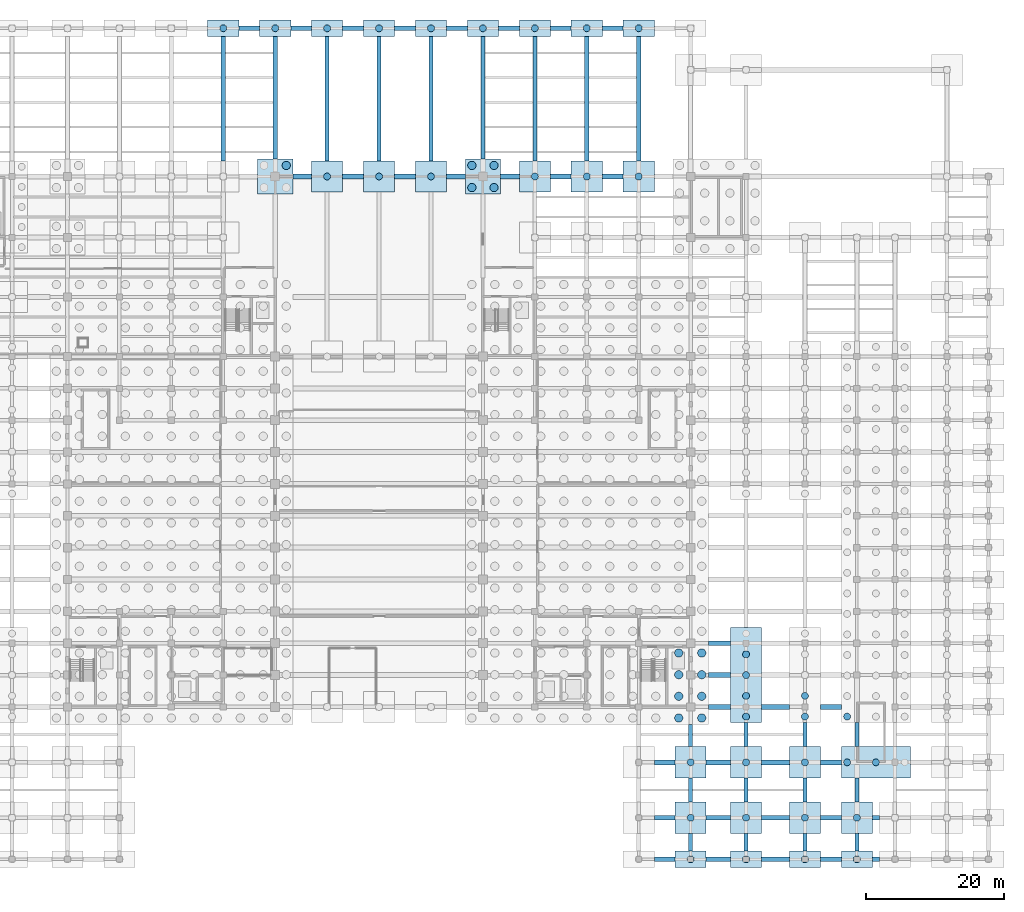
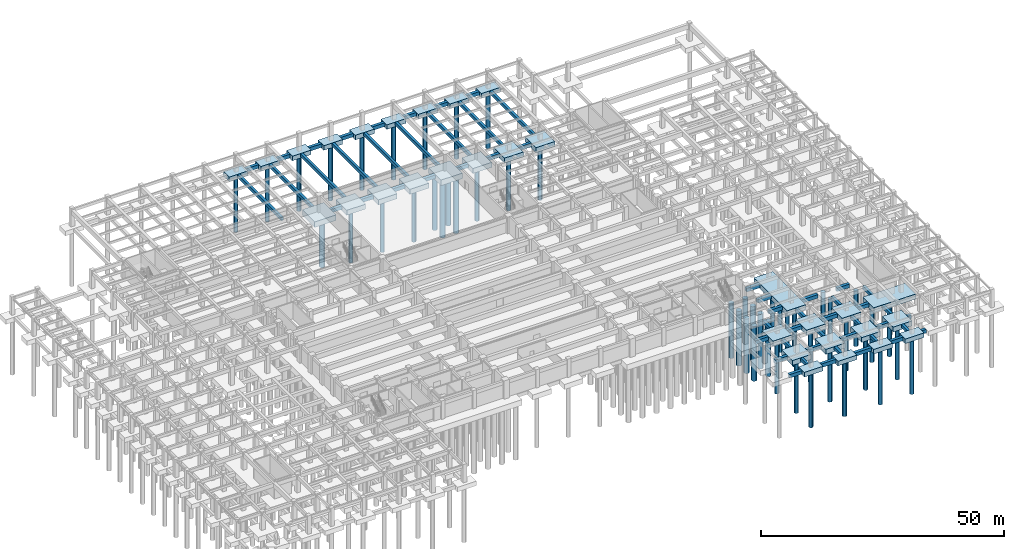
# One storey, part 7 of 32: 85 footings, 48 piles.
"""IFC4 building model written with IfcOpenShell, lengths in metres."""

import ifcopenshell
import ifcopenshell.guid

model = None  # the IFC model being written
_history = None  # IfcOwnerHistory: only IFC2X3 demands one
_inside = {}  # id of a spatial element -> (the spatial element, [elements in it])
_under = {}  # id of a project, library or spatial element -> (it, [spatial elements below it])
_declared = {}  # id of a project -> (the project, [libraries it declares])
_typed = {}  # id of a type object -> (the type object, [elements of that type])
_made_of = {}  # id of a material, layer set ... -> (it, [elements and type objects made of it])


def new_model(schema):
    """Start an empty IFC model of exactly this schema.

    Asked for "IFC4X3", IfcOpenShell would pick the latest addendum, in which some entities
    have other attributes; the version numbers below select the first issue.
    IFC2X3 requires an IfcOwnerHistory on every rooted entity: one is made here for all.
    """
    global model, _history
    if schema == "IFC4X3":
        model = ifcopenshell.file(schema_version=(4, 3, 0, 0))
    else:
        model = ifcopenshell.file(schema=schema)
    _inside.clear()
    _under.clear()
    _declared.clear()
    _typed.clear()
    _made_of.clear()
    _history = None
    if model.schema == "IFC2X3":
        org = make("IfcOrganization", Name="unknown")
        user = make(
            "IfcPersonAndOrganization",
            ThePerson=make("IfcPerson", FamilyName="unknown"),
            TheOrganization=org,
        )
        app = make(
            "IfcApplication",
            ApplicationDeveloper=org,
            Version="unknown",
            ApplicationFullName="unknown",
            ApplicationIdentifier="unknown",
        )
        _history = make(
            "IfcOwnerHistory",
            OwningUser=user,
            OwningApplication=app,
            ChangeAction="ADDED",
            CreationDate=0,
        )
    return model


def make(cls, **values):
    """One entity of the class cls with the attributes given. An attribute that is None is left unset."""
    return model.create_entity(
        cls, **{name: value for name, value in values.items() if value is not None}
    )


def rooted(cls, **values):
    """An entity with a GlobalId (a new one), such as an element, a storey or a relation."""
    return make(cls, GlobalId=ifcopenshell.guid.new(), OwnerHistory=_history, **values)


def si_unit(unit_type, name, prefix=None):
    """IfcSIUnit, for example si_unit("LENGTHUNIT", "METRE", prefix="MILLI")."""
    return make("IfcSIUnit", UnitType=unit_type, Prefix=prefix, Name=name)


def assignment(units):
    """IfcUnitAssignment: the units of a project."""
    return None if units is None else make("IfcUnitAssignment", Units=units)


def point(xyz):
    """IfcCartesianPoint."""
    return None if xyz is None else make("IfcCartesianPoint", Coordinates=xyz)


def direction(xyz):
    """IfcDirection."""
    return None if xyz is None else make("IfcDirection", DirectionRatios=xyz)


def frame(location, z_axis=None, x_axis=None):
    """IfcAxis2Placement3D, a coordinate frame: its origin and axes. An axis left out is left unset."""
    return make(
        "IfcAxis2Placement3D",
        Location=point(location),
        Axis=direction(z_axis),
        RefDirection=direction(x_axis),
    )


def frame_2d(location, x_axis=None):
    """IfcAxis2Placement2D, a coordinate frame in the plane: its origin and x axis."""
    return make(
        "IfcAxis2Placement2D", Location=point(location), RefDirection=direction(x_axis)
    )


def origin():
    """The frame at (0, 0, 0) with its axes left unset."""
    return frame((0.0, 0.0, 0.0))


def origin_2d():
    """The frame at (0, 0) in the plane with its x axis left unset."""
    return frame_2d((0.0, 0.0))


def place(relative_to, where):
    """IfcLocalPlacement: puts the frame where relative to a parent placement (None: the world)."""
    return make(
        "IfcLocalPlacement", PlacementRelTo=relative_to, RelativePlacement=where
    )


def context(
    kind, dimensions, precision=None, world=None, true_north=None, identifier=None
):
    """IfcGeometricRepresentationContext, for example the 3D "Model" context."""
    return make(
        "IfcGeometricRepresentationContext",
        ContextIdentifier=identifier,
        ContextType=kind,
        CoordinateSpaceDimension=dimensions,
        Precision=precision,
        WorldCoordinateSystem=world,
        TrueNorth=true_north,
    )


def subcontext(parent, identifier, kind, view, scale=None):
    """IfcGeometricRepresentationSubContext, for example "Body" below "Model"."""
    return make(
        "IfcGeometricRepresentationSubContext",
        ContextIdentifier=identifier,
        ContextType=kind,
        ParentContext=parent,
        TargetScale=scale,
        TargetView=view,
    )


def project(units=None, contexts=None):
    """IfcProject with its units and contexts."""
    return rooted(
        "IfcProject",
        Name="project",
        RepresentationContexts=contexts,
        UnitsInContext=assignment(units),
    )


def spatial(cls, under=None, at=None, **own):
    """A site, building, storey or space (cls), placed at a placement, below another one or the project."""
    s = rooted(cls, ObjectPlacement=at, **own)
    if under is not None:
        _under.setdefault(under.id(), (under, []))[1].append(s)
    return s


def profile(cls, at=None, kind="AREA", **sizes):
    """A parametric profile (cls). Its sizes go by their IFC names, for example OverallWidth=200.0."""
    return make(cls, ProfileType=kind, Position=at, **sizes)


def rectangle(**sizes):
    """IfcRectangleProfileDef."""
    return profile("IfcRectangleProfileDef", **sizes)


def circle(**sizes):
    """IfcCircleProfileDef."""
    return profile("IfcCircleProfileDef", **sizes)


def extrude(swept, where, along, depth):
    """IfcExtrudedAreaSolid: the profile swept, set in the frame where, extruded along a direction by depth."""
    return make(
        "IfcExtrudedAreaSolid",
        SweptArea=swept,
        Position=where,
        ExtrudedDirection=direction(along),
        Depth=depth,
    )


def shape(context_of_items, identifier, shape_type, items):
    """IfcShapeRepresentation: the items that make up one representation, for example the "Body"."""
    return make(
        "IfcShapeRepresentation",
        ContextOfItems=context_of_items,
        RepresentationIdentifier=identifier,
        RepresentationType=shape_type,
        Items=items,
    )


def material(Name=None, Category=None):
    """IfcMaterial."""
    return make("IfcMaterial", Name=Name, Category=Category)


def material_profile(
    of_material, cross_section, Name=None, Category=None, Priority=None
):
    """IfcMaterialProfile: a cross section and its material."""
    return make(
        "IfcMaterialProfile",
        Name=Name,
        Material=of_material,
        Profile=cross_section,
        Priority=Priority,
        Category=Category,
    )


def profile_set(profiles, Name=None, composite=None):
    """IfcMaterialProfileSet."""
    return make(
        "IfcMaterialProfileSet",
        Name=Name,
        MaterialProfiles=profiles,
        CompositeProfile=composite,
    )


def made_of(thing, what):
    """Note that an element or type object is made of a material, layer set ...; save() writes the relation."""
    if what is not None:
        _made_of.setdefault(what.id(), (what, []))[1].append(thing)
    return thing


def type_object(cls, material=None, **own):
    """A type object (cls), such as IfcWallType, which elements share."""
    return made_of(rooted(cls, **own), material)


def element(
    cls,
    number,
    at=None,
    inside=None,
    cuts=None,
    type_object=None,
    material=None,
    context=None,
    identifier="Body",
    shape_type=None,
    held_by="IfcProductDefinitionShape",
    body=None,
    shapes=None,
    **own,
):
    """One element of the class cls, such as IfcWall. Its Tag is "e" and its number.

    at: its placement. inside: the storey or other place that contains it. cuts: it is an
    opening in that element (IfcRelVoidsElement). A single representation is given by context,
    identifier, shape_type and body (its items); several are given by shapes. held_by: the class
    of the entity that holds the representations. save() writes the other relations.
    """
    e = rooted(cls, Tag="e%d" % number, ObjectPlacement=at, **own)
    if body is not None:
        shapes = [shape(context, identifier, shape_type, body)]
    if shapes is not None:
        e.Representation = make(held_by, Representations=shapes)
    if inside is not None:
        _inside.setdefault(inside.id(), (inside, []))[1].append(e)
    if cuts is not None:
        rooted(
            "IfcRelVoidsElement", RelatingBuildingElement=cuts, RelatedOpeningElement=e
        )
    if type_object is not None:
        _typed.setdefault(type_object.id(), (type_object, []))[1].append(e)
    return made_of(e, material)


def aggregate(whole, parts):
    """IfcRelAggregates: a whole, such as a stair, and the parts it consists of."""
    return rooted("IfcRelAggregates", RelatingObject=whole, RelatedObjects=parts)


def save(model, path):
    """Write the relations noted so far, then the file.

    IfcRelAggregates (storeys below a building ...), IfcRelContainedInSpatialStructure (elements
    in a storey), IfcRelDefinesByType, IfcRelAssociatesMaterial and IfcRelDeclares: one each for
    every whole, place, type object, material and project.
    """
    for whole, parts in _under.values():
        aggregate(whole, parts)
    for where, things in _inside.values():
        rooted(
            "IfcRelContainedInSpatialStructure",
            RelatedElements=things,
            RelatingStructure=where,
        )
    for kind, things in _typed.values():
        rooted("IfcRelDefinesByType", RelatedObjects=things, RelatingType=kind)
    for what, things in _made_of.values():
        rooted("IfcRelAssociatesMaterial", RelatedObjects=things, RelatingMaterial=what)
    for by, libraries in _declared.values():
        rooted("IfcRelDeclares", RelatingContext=by, RelatedDefinitions=libraries)
    model.write(path)


model = new_model("IFC4")

# Units and contexts
model_context = context("Model", 3, precision=1e-05, world=origin(), true_north=direction((0.0, 1.0)))
body_context = subcontext(model_context, "Body", "Model", "MODEL_VIEW")
ifc_project = project(units=[si_unit("LENGTHUNIT", "METRE"), si_unit("AREAUNIT", "SQUARE_METRE"), si_unit("VOLUMEUNIT", "CUBIC_METRE"), si_unit("PLANEANGLEUNIT", "RADIAN"), si_unit("MASSUNIT", "GRAM", prefix="KILO")], contexts=[model_context])

# Site, building, storey
site_placement = place(None, origin())
site = spatial("IfcSite", under=ifc_project, at=site_placement, CompositionType="ELEMENT")
building_placement = place(site_placement, origin())
building = spatial("IfcBuilding", under=site, at=building_placement, Name="Muzn Square Opera House", CompositionType="ELEMENT")
storey_placement = place(building_placement, frame((0.0, 0.0, -4.199951171875)))
storey = spatial("IfcBuildingStorey", under=building, at=storey_placement, Name="B1", CompositionType="ELEMENT", Elevation=-4.199951171875)

# Piles
ifc_material = material(Name="Concrete C40/50", Category="concrete")
ifc_material_profile_1 = material_profile(ifc_material, circle(Radius=0.5, at=origin_2d()), Name="BORED PILE D1000", Category="concrete")
ifc_profile_set_1 = profile_set([ifc_material_profile_1], Name="Concrete C40/50")
pile_type_1 = type_object("IfcPileType", Name="Bored Pile D1000", PredefinedType="BORED", material=ifc_profile_set_1)
for number, where, z_axis, x_axis, name in (
    (1, (133.0, 0.0, -1.469970703125), (0.0, 0.0, -1.0), (1.0, 0.0, 0.0), "Bored Pile BP-B1-BP-D1000-1330_0-10"),
    (2, (141.0, 0.0, -1.469970703125), (0.0, 0.0, -1.0), (1.0, 0.0, 0.0), "Bored Pile BP-B1-BP-D1000-1410_0-11"),
    (3, (149.5, 0.0, -1.469970703125), (0.0, 0.0, -1.0), (1.0, 0.0, 0.0), "Bored Pile BP-B1-BP-D1000-1495_0-12"),
    (4, (157.0, 0.0, -1.469970703125), (0.0, 0.0, -1.0), (1.0, 0.0, 0.0), "Bored Pile BP-B1-BP-D1000-1570_0-13"),
):
    element("IfcPile", number, at=place(storey_placement, frame(where, z_axis=z_axis, x_axis=x_axis)), inside=storey, type_object=pile_type_1, Name=name, PredefinedType="BORED", context=body_context, shape_type="SweptSolid", body=[
        extrude(circle(Radius=0.5, at=origin_2d()), origin(), (0.0, 0.0, 1.0), 14.030029296875),
    ])
for number, where, z_axis, x_axis, name in (
    (5, (133.0, 6.0, -1.570068359375), (0.0, 0.0, -1.0), (1.0, 0.0, 0.0), "Bored Pile BP-B1-BP-D1000-1330_60-25"),
    (6, (141.0, 6.0, -1.570068359375), (0.0, 0.0, -1.0), (1.0, 0.0, 0.0), "Bored Pile BP-B1-BP-D1000-1410_60-26"),
    (7, (149.5, 6.0, -1.570068359375), (0.0, 0.0, -1.0), (1.0, 0.0, 0.0), "Bored Pile BP-B1-BP-D1000-1495_60-27"),
    (8, (157.0, 6.0, -1.570068359375), (0.0, 0.0, -1.0), (1.0, 0.0, 0.0), "Bored Pile BP-B1-BP-D1000-1570_60-28"),
    (9, (133.0, 14.0, -1.570068359375), (0.0, 0.0, -1.0), (1.0, 0.0, 0.0), "Bored Pile BP-B1-BP-D1000-1330_140-42"),
    (10, (141.0, 14.0, -1.570068359375), (0.0, 0.0, -1.0), (1.0, 0.0, 0.0), "Bored Pile BP-B1-BP-D1000-1410_140-43"),
    (11, (149.5, 14.0, -1.570068359375), (0.0, 0.0, -1.0), (1.0, 0.0, 0.0), "Bored Pile BP-B1-BP-D1000-1495_140-44"),
    (12, (155.60009765625, 14.0, -1.570068359375), (0.0, 0.0, -1.0), (1.0, 0.0, 0.0), "Bored Pile BP-B1-BP-D1000-1556_140-45"),
    (13, (159.75, 14.0, -1.570068359375), (0.0, 0.0, -1.0), (1.0, 0.0, 0.0), "Bored Pile BP-B1-BP-D1000-1598_140-46"),
    (14, (141.0, 20.60009765625, -1.570068359375), (0.0, 0.0, -1.0), (1.0, 0.0, 0.0), "Bored Pile BP-B1-BP-D1000-1410_206-602"),
    (15, (141.0, 23.60009765625, -1.570068359375), (0.0, 0.0, -1.0), (1.0, 0.0, 0.0), "Bored Pile BP-B1-BP-D1000-1410_236-603"),
    (16, (141.0, 26.60009765625, -1.570068359375), (0.0, 0.0, -1.0), (1.0, 0.0, 0.0), "Bored Pile BP-B1-BP-D1000-1410_266-604"),
    (17, (141.0, 29.60009765625, -1.570068359375), (0.0, 0.0, -1.0), (1.0, 0.0, 0.0), "Bored Pile BP-B1-BP-D1000-1410_296-605"),
    (18, (149.5, 20.60009765625, -1.570068359375), (0.0, 0.0, -1.0), (1.0, 0.0, 0.0), "Bored Pile BP-B1-BP-D1000-1495_206-607"),
    (19, (149.5, 23.60009765625, -1.570068359375), (0.0, 0.0, -1.0), (1.0, 0.0, 0.0), "Bored Pile BP-B1-BP-D1000-1495_236-608"),
    (20, (155.60009765625, 20.60009765625, -1.570068359375), (0.0, 0.0, -1.0), (1.0, 0.0, 0.0), "Bored Pile BP-B1-BP-D1000-1556_206-612"),
    (21, (80.5, 98.60009765625, -1.570068359375), (0.0, 0.0, -1.0), (1.0, 0.0, 0.0), "Bored Pile BP-B1-BP-D1000-805_986-826"),
    (22, (88.0, 98.60009765625, -1.570068359375), (0.0, 0.0, -1.0), (1.0, 0.0, 0.0), "Bored Pile BP-B1-BP-D1000-880_986-827"),
    (23, (95.5, 98.60009765625, -1.570068359375), (0.0, 0.0, -1.0), (1.0, 0.0, 0.0), "Bored Pile BP-B1-BP-D1000-955_986-828"),
    (24, (110.5, 98.60009765625, -1.570068359375), (0.0, 0.0, -1.0), (1.0, 0.0, 0.0), "Bored Pile BP-B1-BP-D1000-1105_986-829"),
    (25, (118.0, 98.60009765625, -1.570068359375), (0.0, 0.0, -1.0), (1.0, 0.0, 0.0), "Bored Pile BP-B1-BP-D1000-1180_986-830"),
    (26, (125.5, 98.60009765625, -1.570068359375), (0.0, 0.0, -1.0), (1.0, 0.0, 0.0), "Bored Pile BP-B1-BP-D1000-1255_986-831"),
):
    element("IfcPile", number, at=place(storey_placement, frame(where, z_axis=z_axis, x_axis=x_axis)), inside=storey, type_object=pile_type_1, Name=name, PredefinedType="BORED", context=body_context, shape_type="SweptSolid", body=[
        extrude(circle(Radius=0.5, at=origin_2d()), origin(), (0.0, 0.0, 1.0), 13.929931640625),
    ])
for number, where, z_axis, x_axis, name in (
    (27, (65.5, 120.0, -1.469970703125), (0.0, 0.0, -1.0), (1.0, 0.0, 0.0), "Bored Pile BP-B1-BP-D1000-655_1200-843"),
    (28, (73.0, 120.0, -1.469970703125), (0.0, 0.0, -1.0), (1.0, 0.0, 0.0), "Bored Pile BP-B1-BP-D1000-730_1200-844"),
    (29, (80.5, 120.0, -1.469970703125), (0.0, 0.0, -1.0), (1.0, 0.0, 0.0), "Bored Pile BP-B1-BP-D1000-805_1200-845"),
    (30, (88.0, 120.0, -1.469970703125), (0.0, 0.0, -1.0), (1.0, 0.0, 0.0), "Bored Pile BP-B1-BP-D1000-880_1200-846"),
    (31, (95.5, 120.0, -1.469970703125), (0.0, 0.0, -1.0), (1.0, 0.0, 0.0), "Bored Pile BP-B1-BP-D1000-955_1200-847"),
    (32, (103.0, 120.0, -1.469970703125), (0.0, 0.0, -1.0), (1.0, 0.0, 0.0), "Bored Pile BP-B1-BP-D1000-1030_1200-848"),
    (33, (110.5, 120.0, -1.469970703125), (0.0, 0.0, -1.0), (1.0, 0.0, 0.0), "Bored Pile BP-B1-BP-D1000-1105_1200-849"),
    (34, (118.0, 120.0, -1.469970703125), (0.0, 0.0, -1.0), (1.0, 0.0, 0.0), "Bored Pile BP-B1-BP-D1000-1180_1200-850"),
    (35, (125.5, 120.0, -1.469970703125), (0.0, 0.0, -1.0), (1.0, 0.0, 0.0), "Bored Pile BP-B1-BP-D1000-1255_1200-851"),
):
    element("IfcPile", number, at=place(storey_placement, frame(where, z_axis=z_axis, x_axis=x_axis)), inside=storey, type_object=pile_type_1, Name=name, PredefinedType="BORED", context=body_context, shape_type="SweptSolid", body=[
        extrude(circle(Radius=0.5, at=origin_2d()), origin(), (0.0, 0.0, 1.0), 14.030029296875),
    ])
ifc_material_profile_2 = material_profile(ifc_material, circle(Radius=0.60009765625, at=origin_2d()), Name="BORED PILE D1200", Category="concrete")
ifc_profile_set_2 = profile_set([ifc_material_profile_2], Name="Concrete C40/50")
pile_type_2 = type_object("IfcPileType", Name="Bored Pile D1200", PredefinedType="BORED", material=ifc_profile_set_2)
for number, where, z_axis, x_axis, name in (
    (36, (131.280029296875, 20.39990234375, -1.719970703125), (0.0, 0.0, -1.0), (1.0, 0.0, 0.0), "Bored Pile BP-B1-BP-D1200-1313_204-471"),
    (37, (131.280029296875, 23.530029296875, -1.719970703125), (0.0, 0.0, -1.0), (1.0, 0.0, 0.0), "Bored Pile BP-B1-BP-D1200-1313_235-472"),
    (38, (131.280029296875, 26.659912109375, -1.719970703125), (0.0, 0.0, -1.0), (1.0, 0.0, 0.0), "Bored Pile BP-B1-BP-D1200-1313_267-473"),
    (39, (131.280029296875, 29.7900390625, -1.719970703125), (0.0, 0.0, -1.0), (1.0, 0.0, 0.0), "Bored Pile BP-B1-BP-D1200-1313_298-474"),
    (40, (134.60009765625, 20.39990234375, -1.719970703125), (0.0, 0.0, -1.0), (1.0, 0.0, 0.0), "Bored Pile BP-B1-BP-D1200-1346_204-492"),
    (41, (134.60009765625, 23.530029296875, -1.719970703125), (0.0, 0.0, -1.0), (1.0, 0.0, 0.0), "Bored Pile BP-B1-BP-D1200-1346_235-493"),
    (42, (134.60009765625, 26.659912109375, -1.719970703125), (0.0, 0.0, -1.0), (1.0, 0.0, 0.0), "Bored Pile BP-B1-BP-D1200-1346_267-494"),
    (43, (134.60009765625, 29.7900390625, -1.719970703125), (0.0, 0.0, -1.0), (1.0, 0.0, 0.0), "Bored Pile BP-B1-BP-D1200-1346_298-495"),
    (44, (74.60009765625, 100.199951171875, -1.719970703125), (0.0, 0.0, -1.0), (1.0, 0.0, 0.0), "Bored Pile BP-B1-BP-D1200-746_1002-816"),
    (45, (101.39990234375, 97.0, -1.719970703125), (0.0, 0.0, -1.0), (1.0, 0.0, 0.0), "Bored Pile BP-B1-BP-D1200-1014_970-817"),
    (46, (101.39990234375, 100.199951171875, -1.719970703125), (0.0, 0.0, -1.0), (1.0, 0.0, 0.0), "Bored Pile BP-B1-BP-D1200-1014_1002-818"),
    (47, (104.60009765625, 97.0, -1.719970703125), (0.0, 0.0, -1.0), (1.0, 0.0, 0.0), "Bored Pile BP-B1-BP-D1200-1046_970-819"),
    (48, (104.60009765625, 100.199951171875, -1.719970703125), (0.0, 0.0, -1.0), (1.0, 0.0, 0.0), "Bored Pile BP-B1-BP-D1200-1046_1002-820"),
):
    element("IfcPile", number, at=place(storey_placement, frame(where, z_axis=z_axis, x_axis=x_axis)), inside=storey, type_object=pile_type_2, Name=name, PredefinedType="BORED", context=body_context, shape_type="SweptSolid", body=[
        extrude(circle(Radius=0.60009765625, at=origin_2d()), origin(), (0.0, 0.0, 1.0), 13.780029296875),
    ])

# Footings
ifc_material_profile_3 = material_profile(ifc_material, rectangle(XDim=0.60009765625, YDim=0.800048828125, at=origin_2d()), Name="RCTB 600x800", Category="concrete")
ifc_profile_set_3 = profile_set([ifc_material_profile_3], Name="Concrete C40/50")
footing_type_1 = type_object("IfcFootingType", Name="Foundation Tie Beam 600x800", PredefinedType="FOOTING_BEAM", material=ifc_profile_set_3)
footing_1_placement = place(storey_placement, frame((65.5, 100.85009765625, -0.820068359375), z_axis=(0.0, 1.0, 0.0), x_axis=(-1.0, 0.0, 0.0)))
element("IfcFooting", 49, at=footing_1_placement, inside=storey, type_object=footing_type_1, Name="Foundation Tie Beam FTB-Y284", PredefinedType="FOOTING_BEAM", context=body_context, shape_type="SweptSolid", body=[
    extrude(rectangle(XDim=0.60009765625, YDim=0.800048828125, at=origin_2d()), origin(), (0.0, 0.0, 1.0), 17.949951171875),
])
footing_2_placement = place(storey_placement, frame((73.0, 101.14990234375, -0.820068359375), z_axis=(0.0, 1.0, 0.0), x_axis=(-1.0, 0.0, 0.0)))
element("IfcFooting", 50, at=footing_2_placement, inside=storey, type_object=footing_type_1, Name="Foundation Tie Beam FTB-Y286", PredefinedType="FOOTING_BEAM", context=body_context, shape_type="SweptSolid", body=[
    extrude(rectangle(XDim=0.60009765625, YDim=0.800048828125, at=origin_2d()), origin(), (0.0, 0.0, 1.0), 17.650146484375),
])
for number, where, z_axis, x_axis, name in (
    (51, (80.5, 100.85009765625, -0.820068359375), (0.0, 1.0, 0.0), (-1.0, 0.0, 0.0), "Foundation Tie Beam FTB-Y288"),
    (52, (88.0, 100.85009765625, -0.820068359375), (0.0, 1.0, 0.0), (-1.0, 0.0, 0.0), "Foundation Tie Beam FTB-Y290"),
    (53, (95.5, 100.85009765625, -0.820068359375), (0.0, 1.0, 0.0), (-1.0, 0.0, 0.0), "Foundation Tie Beam FTB-Y292"),
):
    element("IfcFooting", number, at=place(storey_placement, frame(where, z_axis=z_axis, x_axis=x_axis)), inside=storey, type_object=footing_type_1, Name=name, PredefinedType="FOOTING_BEAM", context=body_context, shape_type="SweptSolid", body=[
        extrude(rectangle(XDim=0.60009765625, YDim=0.800048828125, at=origin_2d()), origin(), (0.0, 0.0, 1.0), 17.949951171875),
    ])
footing_3_placement = place(storey_placement, frame((103.0, 101.14990234375, -0.820068359375), z_axis=(0.0, 1.0, 0.0), x_axis=(-1.0, 0.0, 0.0)))
element("IfcFooting", 54, at=footing_3_placement, inside=storey, type_object=footing_type_1, Name="Foundation Tie Beam FTB-Y294", PredefinedType="FOOTING_BEAM", context=body_context, shape_type="SweptSolid", body=[
    extrude(rectangle(XDim=0.60009765625, YDim=0.800048828125, at=origin_2d()), origin(), (0.0, 0.0, 1.0), 17.650146484375),
])
for number, where, z_axis, x_axis, name in (
    (55, (110.5, 100.85009765625, -0.820068359375), (0.0, 1.0, 0.0), (-1.0, 0.0, 0.0), "Foundation Tie Beam FTB-Y297"),
    (56, (118.0, 100.85009765625, -0.820068359375), (0.0, 1.0, 0.0), (-1.0, 0.0, 0.0), "Foundation Tie Beam FTB-Y300"),
    (57, (125.5, 100.85009765625, -0.820068359375), (0.0, 1.0, 0.0), (-1.0, 0.0, 0.0), "Foundation Tie Beam FTB-Y306"),
):
    element("IfcFooting", number, at=place(storey_placement, frame(where, z_axis=z_axis, x_axis=x_axis)), inside=storey, type_object=footing_type_1, Name=name, PredefinedType="FOOTING_BEAM", context=body_context, shape_type="SweptSolid", body=[
        extrude(rectangle(XDim=0.60009765625, YDim=0.800048828125, at=origin_2d()), origin(), (0.0, 0.0, 1.0), 17.949951171875),
    ])
footing_4_placement = place(storey_placement, frame((133.0, 1.199951171875, -0.820068359375), z_axis=(0.0, 1.0, 0.0), x_axis=(-1.0, 0.0, 0.0)))
element("IfcFooting", 58, at=footing_4_placement, inside=storey, type_object=footing_type_1, Name="Foundation Tie Beam FTB-Y307", PredefinedType="FOOTING_BEAM", context=body_context, shape_type="SweptSolid", body=[
    extrude(rectangle(XDim=0.60009765625, YDim=0.800048828125, at=origin_2d()), origin(), (0.0, 0.0, 1.0), 2.550048828125),
])
footing_5_placement = place(storey_placement, frame((133.0, 8.25, -0.820068359375), z_axis=(0.0, 1.0, 0.0), x_axis=(-1.0, 0.0, 0.0)))
element("IfcFooting", 59, at=footing_5_placement, inside=storey, type_object=footing_type_1, Name="Foundation Tie Beam FTB-Y308", PredefinedType="FOOTING_BEAM", context=body_context, shape_type="SweptSolid", body=[
    extrude(rectangle(XDim=0.60009765625, YDim=0.800048828125, at=origin_2d()), origin(), (0.0, 0.0, 1.0), 3.5),
])
footing_6_placement = place(storey_placement, frame((133.0, 16.25, -0.820068359375), z_axis=(0.0, 1.0, 0.0), x_axis=(-1.0, 0.0, 0.0)))
element("IfcFooting", 60, at=footing_6_placement, inside=storey, type_object=footing_type_1, Name="Foundation Tie Beam FTB-Y309", PredefinedType="FOOTING_BEAM", context=body_context, shape_type="SweptSolid", body=[
    extrude(rectangle(XDim=0.60009765625, YDim=0.800048828125, at=origin_2d()), origin(), (0.0, 0.0, 1.0), 3.199951171875),
])
footing_7_placement = place(storey_placement, frame((141.0, 1.199951171875, -0.820068359375), z_axis=(0.0, 1.0, 0.0), x_axis=(-1.0, 0.0, 0.0)))
element("IfcFooting", 61, at=footing_7_placement, inside=storey, type_object=footing_type_1, Name="Foundation Tie Beam FTB-Y313", PredefinedType="FOOTING_BEAM", context=body_context, shape_type="SweptSolid", body=[
    extrude(rectangle(XDim=0.60009765625, YDim=0.800048828125, at=origin_2d()), origin(), (0.0, 0.0, 1.0), 2.550048828125),
])
for number, where, z_axis, x_axis, name in (
    (62, (141.0, 8.25, -0.820068359375), (0.0, 1.0, 0.0), (-1.0, 0.0, 0.0), "Foundation Tie Beam FTB-Y314"),
    (63, (141.0, 16.25, -0.820068359375), (0.0, 1.0, 0.0), (-1.0, 0.0, 0.0), "Foundation Tie Beam FTB-Y315"),
):
    element("IfcFooting", number, at=place(storey_placement, frame(where, z_axis=z_axis, x_axis=x_axis)), inside=storey, type_object=footing_type_1, Name=name, PredefinedType="FOOTING_BEAM", context=body_context, shape_type="SweptSolid", body=[
        extrude(rectangle(XDim=0.60009765625, YDim=0.800048828125, at=origin_2d()), origin(), (0.0, 0.0, 1.0), 3.5),
    ])
footing_8_placement = place(storey_placement, frame((149.5, 1.199951171875, -0.820068359375), z_axis=(0.0, 1.0, 0.0), x_axis=(-1.0, 0.0, 0.0)))
element("IfcFooting", 64, at=footing_8_placement, inside=storey, type_object=footing_type_1, Name="Foundation Tie Beam FTB-Y320", PredefinedType="FOOTING_BEAM", context=body_context, shape_type="SweptSolid", body=[
    extrude(rectangle(XDim=0.60009765625, YDim=0.800048828125, at=origin_2d()), origin(), (0.0, 0.0, 1.0), 2.550048828125),
])
for number, where, z_axis, x_axis, name in (
    (65, (149.5, 8.25, -0.820068359375), (0.0, 1.0, 0.0), (-1.0, 0.0, 0.0), "Foundation Tie Beam FTB-Y321"),
    (66, (149.5, 16.25, -0.820068359375), (0.0, 1.0, 0.0), (-1.0, 0.0, 0.0), "Foundation Tie Beam FTB-Y322"),
):
    element("IfcFooting", number, at=place(storey_placement, frame(where, z_axis=z_axis, x_axis=x_axis)), inside=storey, type_object=footing_type_1, Name=name, PredefinedType="FOOTING_BEAM", context=body_context, shape_type="SweptSolid", body=[
        extrude(rectangle(XDim=0.60009765625, YDim=0.800048828125, at=origin_2d()), origin(), (0.0, 0.0, 1.0), 3.5),
    ])
footing_9_placement = place(storey_placement, frame((157.0, 1.199951171875, -0.820068359375), z_axis=(0.0, 1.0, 0.0), x_axis=(-1.0, 0.0, 0.0)))
element("IfcFooting", 67, at=footing_9_placement, inside=storey, type_object=footing_type_1, Name="Foundation Tie Beam FTB-Y325", PredefinedType="FOOTING_BEAM", context=body_context, shape_type="SweptSolid", body=[
    extrude(rectangle(XDim=0.60009765625, YDim=0.800048828125, at=origin_2d()), origin(), (0.0, 0.0, 1.0), 2.550048828125),
])
for number, where, z_axis, x_axis, name in (
    (68, (157.0, 8.25, -0.820068359375), (0.0, 1.0, 0.0), (-1.0, 0.0, 0.0), "Foundation Tie Beam FTB-Y326"),
    (69, (157.0, 16.25, -0.820068359375), (0.0, 1.0, 0.0), (-1.0, 0.0, 0.0), "Foundation Tie Beam FTB-Y327"),
):
    element("IfcFooting", number, at=place(storey_placement, frame(where, z_axis=z_axis, x_axis=x_axis)), inside=storey, type_object=footing_type_1, Name=name, PredefinedType="FOOTING_BEAM", context=body_context, shape_type="SweptSolid", body=[
        extrude(rectangle(XDim=0.60009765625, YDim=0.800048828125, at=origin_2d()), origin(), (0.0, 0.0, 1.0), 3.5),
    ])
ifc_material_profile_4 = material_profile(ifc_material, rectangle(XDim=0.699951171875, YDim=0.89990234375, at=origin_2d()), Name="RCTB 700x900", Category="concrete")
ifc_profile_set_4 = profile_set([ifc_material_profile_4], Name="Concrete C40/50")
footing_type_2 = type_object("IfcFootingType", Name="Foundation Tie Beam 700x900", PredefinedType="FOOTING_BEAM", material=ifc_profile_set_4)
footing_10_placement = place(storey_placement, frame((127.75, 0.0, -0.8701171875), z_axis=(1.0, 0.0, 0.0), x_axis=(0.0, 1.0, 0.0)))
element("IfcFooting", 70, at=footing_10_placement, inside=storey, type_object=footing_type_2, Name="Foundation Tie Beam FTB-X008", PredefinedType="FOOTING_BEAM", context=body_context, shape_type="SweptSolid", body=[
    extrude(rectangle(XDim=0.699951171875, YDim=0.89990234375, at=origin_2d()), origin(), (0.0, 0.0, 1.0), 3.0),
])
footing_11_placement = place(storey_placement, frame((135.25, 0.0, -0.8701171875), z_axis=(1.0, 0.0, 0.0), x_axis=(0.0, 1.0, 0.0)))
element("IfcFooting", 71, at=footing_11_placement, inside=storey, type_object=footing_type_2, Name="Foundation Tie Beam FTB-X009", PredefinedType="FOOTING_BEAM", context=body_context, shape_type="SweptSolid", body=[
    extrude(rectangle(XDim=0.699951171875, YDim=0.89990234375, at=origin_2d()), origin(), (0.0, 0.0, 1.0), 3.5),
])
footing_12_placement = place(storey_placement, frame((143.25, 0.0, -0.8701171875), z_axis=(1.0, 0.0, 0.0), x_axis=(0.0, 1.0, 0.0)))
element("IfcFooting", 72, at=footing_12_placement, inside=storey, type_object=footing_type_2, Name="Foundation Tie Beam FTB-X010", PredefinedType="FOOTING_BEAM", context=body_context, shape_type="SweptSolid", body=[
    extrude(rectangle(XDim=0.699951171875, YDim=0.89990234375, at=origin_2d()), origin(), (0.0, 0.0, 1.0), 4.0),
])
footing_13_placement = place(storey_placement, frame((151.75, 0.0, -0.8701171875), z_axis=(1.0, 0.0, 0.0), x_axis=(0.0, 1.0, 0.0)))
element("IfcFooting", 73, at=footing_13_placement, inside=storey, type_object=footing_type_2, Name="Foundation Tie Beam FTB-X011", PredefinedType="FOOTING_BEAM", context=body_context, shape_type="SweptSolid", body=[
    extrude(rectangle(XDim=0.699951171875, YDim=0.89990234375, at=origin_2d()), origin(), (0.0, 0.0, 1.0), 3.0),
])
footing_14_placement = place(storey_placement, frame((159.25, 0.0, -0.8701171875), z_axis=(1.0, 0.0, 0.0), x_axis=(0.0, 1.0, 0.0)))
element("IfcFooting", 74, at=footing_14_placement, inside=storey, type_object=footing_type_2, Name="Foundation Tie Beam FTB-X012", PredefinedType="FOOTING_BEAM", context=body_context, shape_type="SweptSolid", body=[
    extrude(rectangle(XDim=0.699951171875, YDim=0.89990234375, at=origin_2d()), origin(), (0.0, 0.0, 1.0), 1.0),
])
footing_15_placement = place(storey_placement, frame((127.75, 6.0, -0.8701171875), z_axis=(1.0, 0.0, 0.0), x_axis=(0.0, 1.0, 0.0)))
element("IfcFooting", 75, at=footing_15_placement, inside=storey, type_object=footing_type_2, Name="Foundation Tie Beam FTB-X022", PredefinedType="FOOTING_BEAM", context=body_context, shape_type="SweptSolid", body=[
    extrude(rectangle(XDim=0.699951171875, YDim=0.89990234375, at=origin_2d()), origin(), (0.0, 0.0, 1.0), 3.0),
])
footing_16_placement = place(storey_placement, frame((135.25, 6.0, -0.8701171875), z_axis=(1.0, 0.0, 0.0), x_axis=(0.0, 1.0, 0.0)))
element("IfcFooting", 76, at=footing_16_placement, inside=storey, type_object=footing_type_2, Name="Foundation Tie Beam FTB-X023", PredefinedType="FOOTING_BEAM", context=body_context, shape_type="SweptSolid", body=[
    extrude(rectangle(XDim=0.699951171875, YDim=0.89990234375, at=origin_2d()), origin(), (0.0, 0.0, 1.0), 3.5),
])
footing_17_placement = place(storey_placement, frame((143.25, 6.0, -0.8701171875), z_axis=(1.0, 0.0, 0.0), x_axis=(0.0, 1.0, 0.0)))
element("IfcFooting", 77, at=footing_17_placement, inside=storey, type_object=footing_type_2, Name="Foundation Tie Beam FTB-X024", PredefinedType="FOOTING_BEAM", context=body_context, shape_type="SweptSolid", body=[
    extrude(rectangle(XDim=0.699951171875, YDim=0.89990234375, at=origin_2d()), origin(), (0.0, 0.0, 1.0), 4.0),
])
footing_18_placement = place(storey_placement, frame((151.75, 6.0, -0.8701171875), z_axis=(1.0, 0.0, 0.0), x_axis=(0.0, 1.0, 0.0)))
element("IfcFooting", 78, at=footing_18_placement, inside=storey, type_object=footing_type_2, Name="Foundation Tie Beam FTB-X025", PredefinedType="FOOTING_BEAM", context=body_context, shape_type="SweptSolid", body=[
    extrude(rectangle(XDim=0.699951171875, YDim=0.89990234375, at=origin_2d()), origin(), (0.0, 0.0, 1.0), 3.0),
])
footing_19_placement = place(storey_placement, frame((159.25, 6.0, -0.8701171875), z_axis=(1.0, 0.0, 0.0), x_axis=(0.0, 1.0, 0.0)))
element("IfcFooting", 79, at=footing_19_placement, inside=storey, type_object=footing_type_2, Name="Foundation Tie Beam FTB-X026", PredefinedType="FOOTING_BEAM", context=body_context, shape_type="SweptSolid", body=[
    extrude(rectangle(XDim=0.699951171875, YDim=0.89990234375, at=origin_2d()), origin(), (0.0, 0.0, 1.0), 1.0),
])
footing_20_placement = place(storey_placement, frame((127.75, 14.0, -0.8701171875), z_axis=(1.0, 0.0, 0.0), x_axis=(0.0, 1.0, 0.0)))
element("IfcFooting", 80, at=footing_20_placement, inside=storey, type_object=footing_type_2, Name="Foundation Tie Beam FTB-X035", PredefinedType="FOOTING_BEAM", context=body_context, shape_type="SweptSolid", body=[
    extrude(rectangle(XDim=0.699951171875, YDim=0.89990234375, at=origin_2d()), origin(), (0.0, 0.0, 1.0), 3.0),
])
footing_21_placement = place(storey_placement, frame((135.25, 14.0, -0.8701171875), z_axis=(1.0, 0.0, 0.0), x_axis=(0.0, 1.0, 0.0)))
element("IfcFooting", 81, at=footing_21_placement, inside=storey, type_object=footing_type_2, Name="Foundation Tie Beam FTB-X036", PredefinedType="FOOTING_BEAM", context=body_context, shape_type="SweptSolid", body=[
    extrude(rectangle(XDim=0.699951171875, YDim=0.89990234375, at=origin_2d()), origin(), (0.0, 0.0, 1.0), 3.5),
])
footing_22_placement = place(storey_placement, frame((143.25, 14.0, -0.8701171875), z_axis=(1.0, 0.0, 0.0), x_axis=(0.0, 1.0, 0.0)))
element("IfcFooting", 82, at=footing_22_placement, inside=storey, type_object=footing_type_2, Name="Foundation Tie Beam FTB-X037", PredefinedType="FOOTING_BEAM", context=body_context, shape_type="SweptSolid", body=[
    extrude(rectangle(XDim=0.699951171875, YDim=0.89990234375, at=origin_2d()), origin(), (0.0, 0.0, 1.0), 4.0),
])
footing_23_placement = place(storey_placement, frame((151.75, 14.0, -0.8701171875), z_axis=(1.0, 0.0, 0.0), x_axis=(0.0, 1.0, 0.0)))
element("IfcFooting", 83, at=footing_23_placement, inside=storey, type_object=footing_type_2, Name="Foundation Tie Beam FTB-X038", PredefinedType="FOOTING_BEAM", context=body_context, shape_type="SweptSolid", body=[
    extrude(rectangle(XDim=0.699951171875, YDim=0.89990234375, at=origin_2d()), origin(), (0.0, 0.0, 1.0), 3.0),
])
footing_24_placement = place(storey_placement, frame((135.550048828125, 22.0, -0.8701171875), z_axis=(1.0, 0.0, 0.0), x_axis=(0.0, 1.0, 0.0)))
element("IfcFooting", 84, at=footing_24_placement, inside=storey, type_object=footing_type_2, Name="Foundation Tie Beam FTB-X050", PredefinedType="FOOTING_BEAM", context=body_context, shape_type="SweptSolid", body=[
    extrude(rectangle(XDim=0.699951171875, YDim=0.89990234375, at=origin_2d()), origin(), (0.0, 0.0, 1.0), 3.199951171875),
])
footing_25_placement = place(storey_placement, frame((143.25, 22.0, -0.8701171875), z_axis=(1.0, 0.0, 0.0), x_axis=(0.0, 1.0, 0.0)))
element("IfcFooting", 85, at=footing_25_placement, inside=storey, type_object=footing_type_2, Name="Foundation Tie Beam FTB-X051", PredefinedType="FOOTING_BEAM", context=body_context, shape_type="SweptSolid", body=[
    extrude(rectangle(XDim=0.699951171875, YDim=0.89990234375, at=origin_2d()), origin(), (0.0, 0.0, 1.0), 4.0),
])
footing_26_placement = place(storey_placement, frame((151.75, 22.0, -0.8701171875), z_axis=(1.0, 0.0, 0.0), x_axis=(0.0, 1.0, 0.0)))
element("IfcFooting", 86, at=footing_26_placement, inside=storey, type_object=footing_type_2, Name="Foundation Tie Beam FTB-X052", PredefinedType="FOOTING_BEAM", context=body_context, shape_type="SweptSolid", body=[
    extrude(rectangle(XDim=0.699951171875, YDim=0.89990234375, at=origin_2d()), origin(), (0.0, 0.0, 1.0), 3.0),
])
for number, where, z_axis, x_axis, name in (
    (87, (135.550048828125, 26.60009765625, -0.8701171875), (1.0, 0.0, 0.0), (0.0, 1.0, 0.0), "Foundation Tie Beam FTB-X061"),
    (88, (135.550048828125, 31.199951171875, -0.8701171875), (1.0, 0.0, 0.0), (0.0, 1.0, 0.0), "Foundation Tie Beam FTB-X072"),
):
    element("IfcFooting", number, at=place(storey_placement, frame(where, z_axis=z_axis, x_axis=x_axis)), inside=storey, type_object=footing_type_2, Name=name, PredefinedType="FOOTING_BEAM", context=body_context, shape_type="SweptSolid", body=[
        extrude(rectangle(XDim=0.699951171875, YDim=0.89990234375, at=origin_2d()), origin(), (0.0, 0.0, 1.0), 3.199951171875),
    ])
footing_27_placement = place(storey_placement, frame((75.550048828125, 98.60009765625, -0.8701171875), z_axis=(1.0, 0.0, 0.0), x_axis=(0.0, 1.0, 0.0)))
element("IfcFooting", 89, at=footing_27_placement, inside=storey, type_object=footing_type_2, Name="Foundation Tie Beam FTB-X195", PredefinedType="FOOTING_BEAM", context=body_context, shape_type="SweptSolid", body=[
    extrude(rectangle(XDim=0.699951171875, YDim=0.89990234375, at=origin_2d()), origin(), (0.0, 0.0, 1.0), 2.699951171875),
])
for number, where, z_axis, x_axis, name in (
    (90, (82.75, 98.60009765625, -0.8701171875), (1.0, 0.0, 0.0), (0.0, 1.0, 0.0), "Foundation Tie Beam FTB-X196"),
    (91, (90.25, 98.60009765625, -0.8701171875), (1.0, 0.0, 0.0), (0.0, 1.0, 0.0), "Foundation Tie Beam FTB-X197"),
):
    element("IfcFooting", number, at=place(storey_placement, frame(where, z_axis=z_axis, x_axis=x_axis)), inside=storey, type_object=footing_type_2, Name=name, PredefinedType="FOOTING_BEAM", context=body_context, shape_type="SweptSolid", body=[
        extrude(rectangle(XDim=0.699951171875, YDim=0.89990234375, at=origin_2d()), origin(), (0.0, 0.0, 1.0), 3.0),
    ])
for number, where, z_axis, x_axis, name in (
    (92, (97.75, 98.60009765625, -0.8701171875), (1.0, 0.0, 0.0), (0.0, 1.0, 0.0), "Foundation Tie Beam FTB-X198"),
    (93, (105.550048828125, 98.60009765625, -0.8701171875), (1.0, 0.0, 0.0), (0.0, 1.0, 0.0), "Foundation Tie Beam FTB-X199"),
):
    element("IfcFooting", number, at=place(storey_placement, frame(where, z_axis=z_axis, x_axis=x_axis)), inside=storey, type_object=footing_type_2, Name=name, PredefinedType="FOOTING_BEAM", context=body_context, shape_type="SweptSolid", body=[
        extrude(rectangle(XDim=0.699951171875, YDim=0.89990234375, at=origin_2d()), origin(), (0.0, 0.0, 1.0), 2.699951171875),
    ])
for number, where, z_axis, x_axis, name in (
    (94, (112.75, 98.60009765625, -0.8701171875), (1.0, 0.0, 0.0), (0.0, 1.0, 0.0), "Foundation Tie Beam FTB-X200"),
    (95, (120.25, 98.60009765625, -0.8701171875), (1.0, 0.0, 0.0), (0.0, 1.0, 0.0), "Foundation Tie Beam FTB-X201"),
    (96, (67.75, 120.0, -0.8701171875), (1.0, 0.0, 0.0), (0.0, 1.0, 0.0), "Foundation Tie Beam FTB-X212"),
    (97, (75.25, 120.0, -0.8701171875), (1.0, 0.0, 0.0), (0.0, 1.0, 0.0), "Foundation Tie Beam FTB-X213"),
    (98, (82.75, 120.0, -0.8701171875), (1.0, 0.0, 0.0), (0.0, 1.0, 0.0), "Foundation Tie Beam FTB-X214"),
    (99, (90.25, 120.0, -0.8701171875), (1.0, 0.0, 0.0), (0.0, 1.0, 0.0), "Foundation Tie Beam FTB-X215"),
    (100, (97.75, 120.0, -0.8701171875), (1.0, 0.0, 0.0), (0.0, 1.0, 0.0), "Foundation Tie Beam FTB-X216"),
    (101, (105.25, 120.0, -0.8701171875), (1.0, 0.0, 0.0), (0.0, 1.0, 0.0), "Foundation Tie Beam FTB-X217"),
    (102, (112.75, 120.0, -0.8701171875), (1.0, 0.0, 0.0), (0.0, 1.0, 0.0), "Foundation Tie Beam FTB-X218"),
    (103, (120.25, 120.0, -0.8701171875), (1.0, 0.0, 0.0), (0.0, 1.0, 0.0), "Foundation Tie Beam FTB-X219"),
):
    element("IfcFooting", number, at=place(storey_placement, frame(where, z_axis=z_axis, x_axis=x_axis)), inside=storey, type_object=footing_type_2, Name=name, PredefinedType="FOOTING_BEAM", context=body_context, shape_type="SweptSolid", body=[
        extrude(rectangle(XDim=0.699951171875, YDim=0.89990234375, at=origin_2d()), origin(), (0.0, 0.0, 1.0), 3.0),
    ])
footing_type_3 = type_object("IfcFootingType", Name="Pile Cap 10000x4500x1250", PredefinedType="PILE_CAP", material=ifc_material)
footing_28_placement = place(storey_placement, frame((159.75, 14.0, -1.670166015625), z_axis=(0.0, 0.0, 1.0), x_axis=(1.0, 0.0, 0.0)))
element("IfcFooting", 104, at=footing_28_placement, inside=storey, type_object=footing_type_3, Name="Pile Cap PC-B1-043", PredefinedType="PILE_CAP", context=body_context, shape_type="SweptSolid", body=[
    extrude(rectangle(XDim=10.0, YDim=4.5, at=origin_2d()), origin(), (0.0, 0.0, 1.0), 1.25),
])
footing_type_4 = type_object("IfcFootingType", Name="Pile Cap 13700x4500x1250", PredefinedType="PILE_CAP", material=ifc_material)
footing_29_placement = place(storey_placement, frame((141.0, 26.60009765625, -1.670166015625), z_axis=(0.0, 0.0, 1.0), x_axis=(1.0, 0.0, 0.0)))
element("IfcFooting", 105, at=footing_29_placement, inside=storey, type_object=footing_type_4, Name="Pile Cap PC-B1-056", PredefinedType="PILE_CAP", context=body_context, shape_type="SweptSolid", body=[
    extrude(rectangle(XDim=4.5, YDim=13.699951171875, at=origin_2d()), origin(), (0.0, 0.0, 1.0), 1.25),
])
footing_type_5 = type_object("IfcFootingType", Name="Pile Cap 4500x2400x1150", PredefinedType="PILE_CAP", material=ifc_material)
for number, where, z_axis, x_axis, name in (
    (106, (133.0, 0.0, -1.570068359375), (0.0, 0.0, 1.0), (1.0, 0.0, 0.0), "Pile Cap PC-B1-010"),
    (107, (141.0, 0.0, -1.570068359375), (0.0, 0.0, 1.0), (1.0, 0.0, 0.0), "Pile Cap PC-B1-011"),
    (108, (149.5, 0.0, -1.570068359375), (0.0, 0.0, 1.0), (1.0, 0.0, 0.0), "Pile Cap PC-B1-012"),
    (109, (157.0, 0.0, -1.570068359375), (0.0, 0.0, 1.0), (1.0, 0.0, 0.0), "Pile Cap PC-B1-013"),
    (110, (65.5, 120.0, -1.570068359375), (0.0, 0.0, 1.0), (1.0, 0.0, 0.0), "Pile Cap PC-B1-141"),
    (111, (73.0, 120.0, -1.570068359375), (0.0, 0.0, 1.0), (1.0, 0.0, 0.0), "Pile Cap PC-B1-142"),
    (112, (80.5, 120.0, -1.570068359375), (0.0, 0.0, 1.0), (1.0, 0.0, 0.0), "Pile Cap PC-B1-143"),
    (113, (88.0, 120.0, -1.570068359375), (0.0, 0.0, 1.0), (1.0, 0.0, 0.0), "Pile Cap PC-B1-144"),
    (114, (95.5, 120.0, -1.570068359375), (0.0, 0.0, 1.0), (1.0, 0.0, 0.0), "Pile Cap PC-B1-145"),
    (115, (103.0, 120.0, -1.570068359375), (0.0, 0.0, 1.0), (1.0, 0.0, 0.0), "Pile Cap PC-B1-146"),
    (116, (110.5, 120.0, -1.570068359375), (0.0, 0.0, 1.0), (1.0, 0.0, 0.0), "Pile Cap PC-B1-147"),
    (117, (118.0, 120.0, -1.570068359375), (0.0, 0.0, 1.0), (1.0, 0.0, 0.0), "Pile Cap PC-B1-148"),
    (118, (125.5, 120.0, -1.570068359375), (0.0, 0.0, 1.0), (1.0, 0.0, 0.0), "Pile Cap PC-B1-149"),
):
    element("IfcFooting", number, at=place(storey_placement, frame(where, z_axis=z_axis, x_axis=x_axis)), inside=storey, type_object=footing_type_5, Name=name, PredefinedType="PILE_CAP", context=body_context, shape_type="SweptSolid", body=[
        extrude(rectangle(XDim=4.5, YDim=2.39990234375, at=origin_2d()), origin(), (0.0, 0.0, 1.0), 1.14990234375),
    ])
footing_type_6 = type_object("IfcFootingType", Name="Pile Cap 4500x4500x1250", PredefinedType="PILE_CAP", material=ifc_material)
for number, where, z_axis, x_axis, name in (
    (119, (133.0, 6.0, -1.670166015625), (0.0, 0.0, 1.0), (1.0, 0.0, 0.0), "Pile Cap PC-B1-025"),
    (120, (141.0, 6.0, -1.670166015625), (0.0, 0.0, 1.0), (1.0, 0.0, 0.0), "Pile Cap PC-B1-026"),
    (121, (149.5, 6.0, -1.670166015625), (0.0, 0.0, 1.0), (1.0, 0.0, 0.0), "Pile Cap PC-B1-027"),
    (122, (157.0, 6.0, -1.670166015625), (0.0, 0.0, 1.0), (1.0, 0.0, 0.0), "Pile Cap PC-B1-028"),
    (123, (133.0, 14.0, -1.670166015625), (0.0, 0.0, 1.0), (1.0, 0.0, 0.0), "Pile Cap PC-B1-040"),
    (124, (141.0, 14.0, -1.670166015625), (0.0, 0.0, 1.0), (1.0, 0.0, 0.0), "Pile Cap PC-B1-041"),
    (125, (149.5, 14.0, -1.670166015625), (0.0, 0.0, 1.0), (1.0, 0.0, 0.0), "Pile Cap PC-B1-042"),
    (126, (80.5, 98.60009765625, -1.670166015625), (0.0, 0.0, 1.0), (1.0, 0.0, 0.0), "Pile Cap PC-B1-124"),
    (127, (88.0, 98.60009765625, -1.670166015625), (0.0, 0.0, 1.0), (1.0, 0.0, 0.0), "Pile Cap PC-B1-125"),
    (128, (95.5, 98.60009765625, -1.670166015625), (0.0, 0.0, 1.0), (1.0, 0.0, 0.0), "Pile Cap PC-B1-126"),
    (129, (110.5, 98.60009765625, -1.670166015625), (0.0, 0.0, 1.0), (1.0, 0.0, 0.0), "Pile Cap PC-B1-127"),
    (130, (118.0, 98.60009765625, -1.670166015625), (0.0, 0.0, 1.0), (1.0, 0.0, 0.0), "Pile Cap PC-B1-128"),
    (131, (125.5, 98.60009765625, -1.670166015625), (0.0, 0.0, 1.0), (1.0, 0.0, 0.0), "Pile Cap PC-B1-129"),
):
    element("IfcFooting", number, at=place(storey_placement, frame(where, z_axis=z_axis, x_axis=x_axis)), inside=storey, type_object=footing_type_6, Name=name, PredefinedType="PILE_CAP", context=body_context, shape_type="SweptSolid", body=[
        extrude(rectangle(XDim=4.5, YDim=4.5, at=origin_2d()), origin(), (0.0, 0.0, 1.0), 1.25),
    ])
footing_type_7 = type_object("IfcFootingType", Name="Pile Cap 5100x5100x1400", PredefinedType="PILE_CAP", material=ifc_material)
for number, where, z_axis, x_axis, name in (
    (132, (73.0, 98.60009765625, -1.820068359375), (0.0, 0.0, 1.0), (1.0, 0.0, 0.0), "Pile Cap PC-B1-117"),
    (133, (103.0, 98.60009765625, -1.820068359375), (0.0, 0.0, 1.0), (1.0, 0.0, 0.0), "Pile Cap PC-B1-118"),
):
    element("IfcFooting", number, at=place(storey_placement, frame(where, z_axis=z_axis, x_axis=x_axis)), inside=storey, type_object=footing_type_7, Name=name, PredefinedType="PILE_CAP", context=body_context, shape_type="SweptSolid", body=[
        extrude(rectangle(XDim=5.10009765625, YDim=5.10009765625, at=origin_2d()), origin(), (0.0, 0.0, 1.0), 1.39990234375),
    ])

save(model, "model.ifc")
